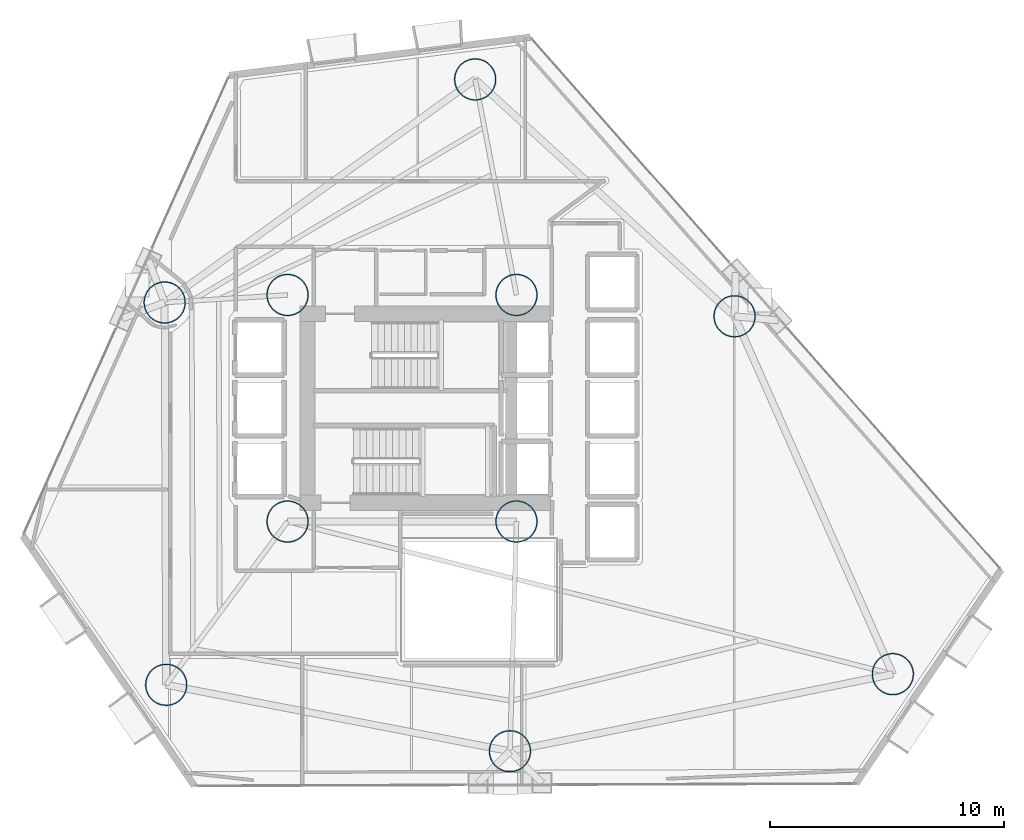
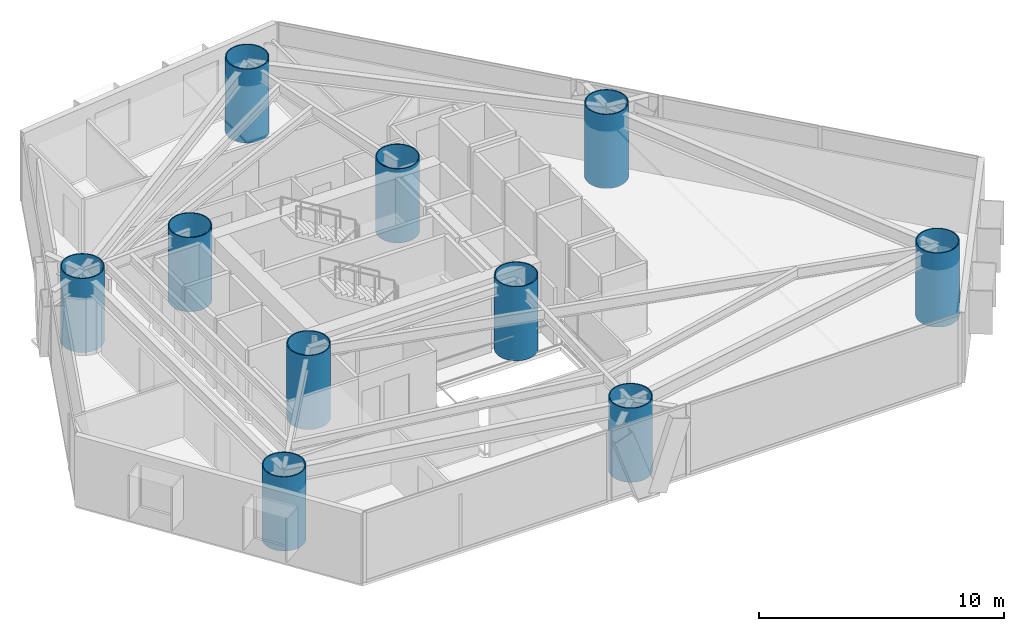
# One storey, part 1 of 22: 10 columns.
"""IFC4 building model written with IfcOpenShell, lengths in metres."""

from ifc_helpers import new_model, si_unit, direction, frame, origin, origin_2d, place, context, subcontext, project, spatial, hollow_circle, extrude, material, material_profile, profile_set, type_object, element, save


model = new_model("IFC4")

# Units and contexts
model_context = context("Model", 3, precision=1e-05, world=origin(), true_north=direction((0.0, 1.0)))
body_context = subcontext(model_context, "Body", "Model", "MODEL_VIEW")
ifc_project = project(units=[si_unit("LENGTHUNIT", "METRE"), si_unit("AREAUNIT", "SQUARE_METRE"), si_unit("VOLUMEUNIT", "CUBIC_METRE"), si_unit("PLANEANGLEUNIT", "RADIAN"), si_unit("MASSUNIT", "GRAM", prefix="KILO")], contexts=[model_context])

# Site, building, storey
site_placement = place(None, origin())
site = spatial("IfcSite", under=ifc_project, at=site_placement, CompositionType="ELEMENT")
building_placement = place(site_placement, origin())
building = spatial("IfcBuilding", under=site, at=building_placement, Name="Qianvela Tower", CompositionType="ELEMENT")
storey_placement = place(building_placement, frame((0.0, 0.0, 40.5)))
storey = spatial("IfcBuildingStorey", under=building, at=storey_placement, Name="L09", CompositionType="ELEMENT", Elevation=40.5)

# Columns
ifc_material = material(Name="Steel Q420GJC", Category="steel")
ifc_material_profile = material_profile(ifc_material, hollow_circle(Radius=0.89990234375, WallThickness=0.044921875, at=origin_2d()), Name="CFT-1800x45")
ifc_profile_set = profile_set([ifc_material_profile], Name="Steel Q420GJC")
column_type = type_object("IfcColumnType", Name="COL-CFT-1800x45", PredefinedType="COLUMN", material=ifc_profile_set)
for number, where, z_axis, x_axis, name in (
    (1, (28.60009765625, 33.550048828125, 0.0), (0.0, 0.0, 1.0), (1.0, 0.0, 0.0), "L09 Core Corner Mega-Column CC-NW"),
    (2, (28.60009765625, 23.85009765625, 0.0), (0.0, 0.0, 1.0), (1.0, 0.0, 0.0), "L09 Core Corner Mega-Column CC-SW"),
    (3, (38.39990234375, 33.550048828125, 0.0), (0.0, 0.0, 1.0), (1.0, 0.0, 0.0), "L09 Core Corner Mega-Column CC-NE"),
    (4, (38.39990234375, 23.85009765625, 0.0), (0.0, 0.0, 1.0), (1.0, 0.0, 0.0), "L09 Core Corner Mega-Column CC-SE"),
    (5, (54.511962890625, 17.31689453125, 0.0), (0.0, 0.0, 1.0), (1.0, 0.0, 0.0), "L09 Zone Z1 CFT Mega-Column C1"),
    (6, (47.736083984375, 32.636962890625, 0.0), (0.0, 0.0, 1.0), (1.0, 0.0, 0.0), "L09 Zone Z1 CFT Mega-Column C2"),
    (7, (36.632080078125, 42.778076171875, 0.0), (0.0, 0.0, 1.0), (1.0, 0.0, 0.0), "L09 Zone Z1 CFT Mega-Column C3"),
    (8, (23.337890625, 33.22802734375, 0.0), (0.0, 0.0, 1.0), (1.0, 0.0, 0.0), "L09 Zone Z1 CFT Mega-Column C4"),
    (9, (23.404052734375, 16.860107421875, 0.0), (0.0, 0.0, 1.0), (1.0, 0.0, 0.0), "L09 Zone Z1 CFT Mega-Column C5"),
    (10, (38.1201171875, 14.01611328125, 0.0), (0.0, 0.0, 1.0), (1.0, 0.0, 0.0), "L09 Zone Z1 CFT Mega-Column C6"),
):
    element("IfcColumn", number, at=place(storey_placement, frame(where, z_axis=z_axis, x_axis=x_axis)), inside=storey, type_object=column_type, Name=name, PredefinedType="COLUMN", context=body_context, shape_type="SweptSolid", body=[
        extrude(hollow_circle(Radius=0.89990234375, WallThickness=0.044921875, at=origin_2d()), origin(), (0.0, 0.0, 1.0), 3.699951171875),
    ])

save(model, "model.ifc")
